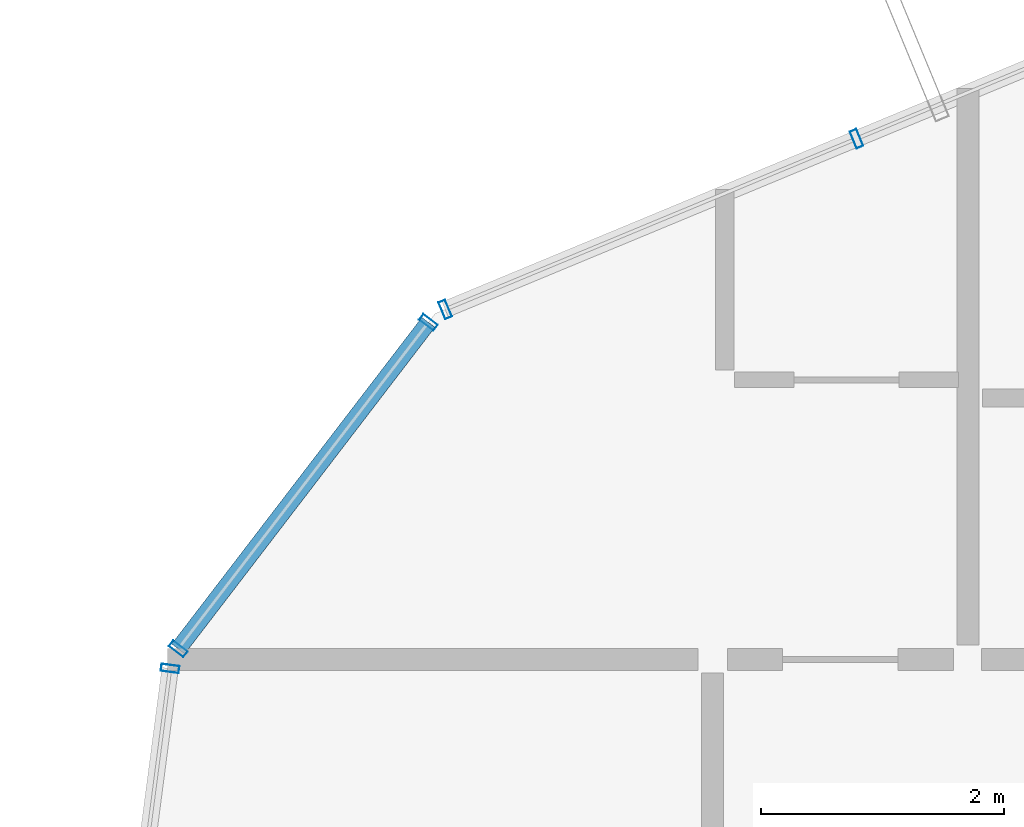
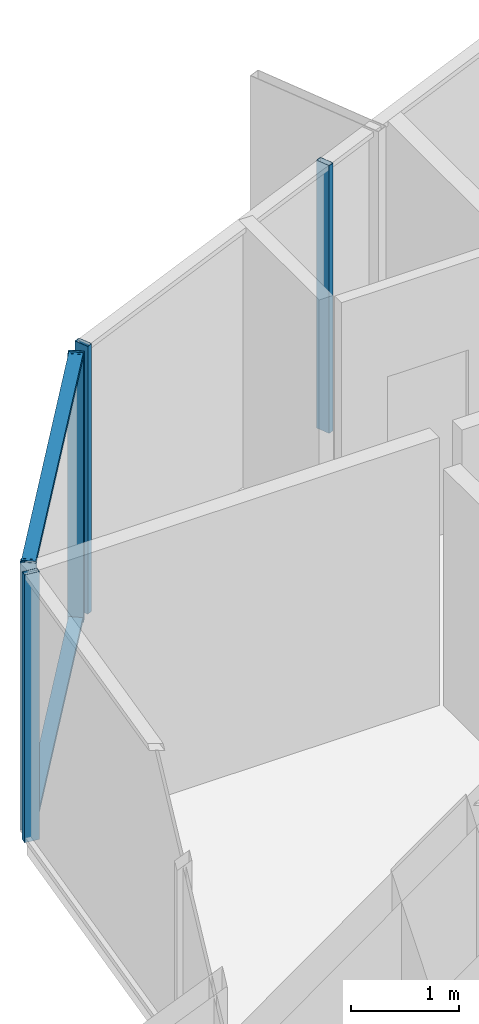
# One storey, part 15 of 31: 7 members, 3 elements without a shape of their own.
"""IFC4 building model written with IfcOpenShell, lengths in metres."""

from ifc_helpers import new_model, si_unit, direction, frame, origin, origin_2d, place, context, subcontext, project, spatial, hollow_rectangle, extrude, source, transform, mapped, material, layer, layer_set, material_profile, profile_set, type_object, element, aggregate, save


model = new_model("IFC4")

# Units and contexts
model_context = context("Model", 3, precision=1e-05, world=origin(), true_north=direction((0.0, 1.0)))
body_context = subcontext(model_context, "Body", "Model", "MODEL_VIEW")
ifc_project = project(units=[si_unit("LENGTHUNIT", "METRE"), si_unit("AREAUNIT", "SQUARE_METRE"), si_unit("VOLUMEUNIT", "CUBIC_METRE"), si_unit("PLANEANGLEUNIT", "RADIAN"), si_unit("MASSUNIT", "GRAM", prefix="KILO")], contexts=[model_context])

# Site, building, storey
site_placement = place(None, origin())
site = spatial("IfcSite", under=ifc_project, at=site_placement, CompositionType="ELEMENT")
building_placement = place(site_placement, origin())
building = spatial("IfcBuilding", under=site, at=building_placement, Name="Veraguas Prism Commons", CompositionType="ELEMENT")
storey_placement = place(building_placement, frame((0.0, 0.0, 233.300048828125)))
storey = spatial("IfcBuildingStorey", under=building, at=storey_placement, Name="L66", CompositionType="ELEMENT", Elevation=233.300048828125)

# Curtain wall, members
ifc_material = material(Name="Anodised aluminium EN AW-6063 T6", Category="aluminium")
ifc_layer = layer(ifc_material, 0.14990234375, Name="Unitised Flush Curtain Wall Zone 4", Category="aluminium")
ifc_layer_set = layer_set([ifc_layer], Name="Anodised aluminium EN AW-6063 T6")
curtain_wall_type = type_object("IfcCurtainWallType", Name="Unitised Flush Curtain Wall Zone 4", PredefinedType="NOTDEFINED", material=ifc_layer_set)
curtain_wall_1_placement = place(storey_placement, origin())
curtain_wall_1 = element("IfcCurtainWall", 1, at=curtain_wall_1_placement, inside=storey, type_object=curtain_wall_type, Name="Tower Facade Curtain Wall L66-F2", PredefinedType="NOTDEFINED")
ifc_material_profile_1 = material_profile(ifc_material, hollow_rectangle(XDim=0.06005859375, YDim=0.14990234375, WallThickness=0.0029296875, at=origin_2d()), Name="AL60X150X3")
ifc_profile_set_1 = profile_set([ifc_material_profile_1], Name="Anodised aluminium EN AW-6063 T6")
member_type_1 = type_object("IfcMemberType", Name="Curtain Wall Mullion Upper AL 60x150x3", PredefinedType="MULLION", material=ifc_profile_set_1)
shared_shape_1 = source(origin(), body_context, "Body", "SweptSolid", [
    extrude(hollow_rectangle(XDim=0.06005859375, YDim=0.14990234375, WallThickness=0.0029296875, at=origin_2d()), origin(), (0.0, 0.0, 1.0), 3.014892578125),
])
member_1_placement = place(storey_placement, frame((14.282958984375, 37.782470703125, 0.0), z_axis=(0.0, 0.0, 1.0), x_axis=(-0.923614820068, -0.383321880606, 0.0)))
member_1 = element("IfcMember", 2, at=member_1_placement, type_object=member_type_1, Name="CW-Z4 Mullion 4", PredefinedType="MULLION", context=body_context, shape_type="MappedRepresentation", body=[
    mapped(shared_shape_1, transform((0.0, 0.0, 0.0), scale=1.0)),
])
member_2_placement = place(storey_placement, frame((10.901123046875, 36.37890625, 0.0), z_axis=(0.0, 0.0, 1.0), x_axis=(-0.923614820068, -0.383321880606, 0.0)))
member_2 = element("IfcMember", 3, at=member_2_placement, type_object=member_type_1, Name="CW-Z4 Mullion 5", PredefinedType="MULLION", context=body_context, shape_type="MappedRepresentation", body=[
    mapped(shared_shape_1, transform((0.0, 0.0, 0.0), scale=1.0)),
])
aggregate(curtain_wall_1, [member_1, member_2])

# Curtain wall, member
curtain_wall_2_placement = place(storey_placement, origin())
curtain_wall_2 = element("IfcCurtainWall", 4, at=curtain_wall_2_placement, inside=storey, type_object=curtain_wall_type, Name="Tower Facade Curtain Wall L66-F3", PredefinedType="NOTDEFINED")
member_3_placement = place(storey_placement, frame((8.639404296875, 33.42724609375, 0.0), z_axis=(0.0, 0.0, 1.0), x_axis=(-0.129835731937, -0.991535517625, 0.0)))
member_3 = element("IfcMember", 5, at=member_3_placement, type_object=member_type_1, Name="CW-Z4 Mullion 1", PredefinedType="MULLION", context=body_context, shape_type="MappedRepresentation", body=[
    mapped(shared_shape_1, transform((0.0, 0.0, 0.0), scale=1.0)),
])
aggregate(curtain_wall_2, [member_3])

# Curtain wall, members
curtain_wall_3_placement = place(storey_placement, origin())
curtain_wall_3 = element("IfcCurtainWall", 6, at=curtain_wall_3_placement, inside=storey, type_object=curtain_wall_type, Name="Chamfer Curtain Wall L66-C3", PredefinedType="NOTDEFINED")
member_4_placement = place(storey_placement, frame((10.76318359375, 36.27294921875, 0.0), z_axis=(0.0, 0.0, 1.0), x_axis=(-0.608181092571, -0.793798311058, 0.0)))
member_4 = element("IfcMember", 7, at=member_4_placement, type_object=member_type_1, Name="CW-Z4 Mullion 1", PredefinedType="MULLION", context=body_context, shape_type="MappedRepresentation", body=[
    mapped(shared_shape_1, transform((0.0, 0.0, 0.0), scale=1.0)),
])
member_5_placement = place(storey_placement, frame((8.7060546875, 33.587890625, 0.0), z_axis=(0.0, 0.0, 1.0), x_axis=(-0.608181092571, -0.793798311058, 0.0)))
member_5 = element("IfcMember", 8, at=member_5_placement, type_object=member_type_1, Name="CW-Z4 Mullion 2", PredefinedType="MULLION", context=body_context, shape_type="MappedRepresentation", body=[
    mapped(shared_shape_1, transform((0.0, 0.0, 0.0), scale=1.0)),
])
ifc_material_profile_2 = material_profile(ifc_material, hollow_rectangle(XDim=0.054931640625, YDim=0.135009765625, WallThickness=0.0029296875, at=origin_2d()), Name="AL55X135X3")
ifc_profile_set_2 = profile_set([ifc_material_profile_2], Name="Anodised aluminium EN AW-6063 T6")
member_type_2 = type_object("IfcMemberType", Name="Curtain Wall Transom Standard AL 55x135x3", PredefinedType="USERDEFINED", material=ifc_profile_set_2)
shared_shape_2 = source(origin(), body_context, "Body", "SweptSolid", [
    extrude(hollow_rectangle(XDim=0.054931640625, YDim=0.135009765625, WallThickness=0.0029296875, at=origin_2d()), origin(), (0.0, 0.0, 1.0), 3.382568359375),
])
member_6_placement = place(storey_placement, frame((10.76318359375, 36.27294921875, 0.02734375), z_axis=(-0.608167852489, -0.793808454981, 0.0), x_axis=(0.0, 0.0, 1.0)))
member_6 = element("IfcMember", 9, at=member_6_placement, type_object=member_type_2, Name="CW-Z4 Transom 1", ObjectType="TRANSOM", PredefinedType="USERDEFINED", context=body_context, shape_type="MappedRepresentation", body=[
    mapped(shared_shape_2, transform((0.0, 0.0, 0.0), scale=1.0)),
])
member_7_placement = place(storey_placement, frame((10.76318359375, 36.27294921875, 2.987548828125), z_axis=(-0.608167852489, -0.793808454981, 0.0), x_axis=(0.0, 0.0, 1.0)))
member_7 = element("IfcMember", 10, at=member_7_placement, type_object=member_type_2, Name="CW-Z4 Transom 2", ObjectType="TRANSOM", PredefinedType="USERDEFINED", context=body_context, shape_type="MappedRepresentation", body=[
    mapped(shared_shape_2, transform((0.0, 0.0, 0.0), scale=1.0)),
])
aggregate(curtain_wall_3, [member_4, member_5, member_6, member_7])

save(model, "model.ifc")
